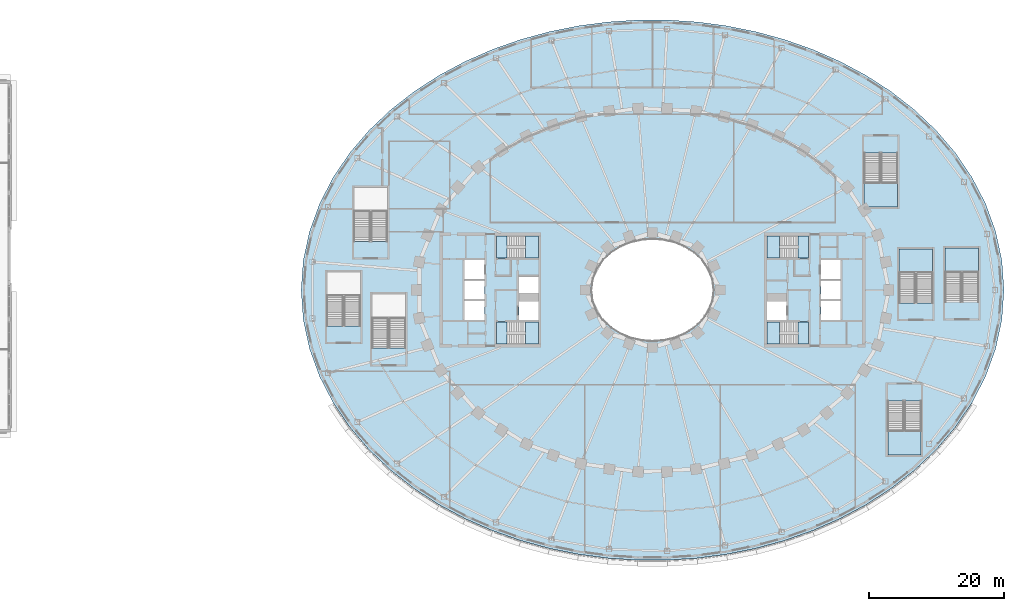
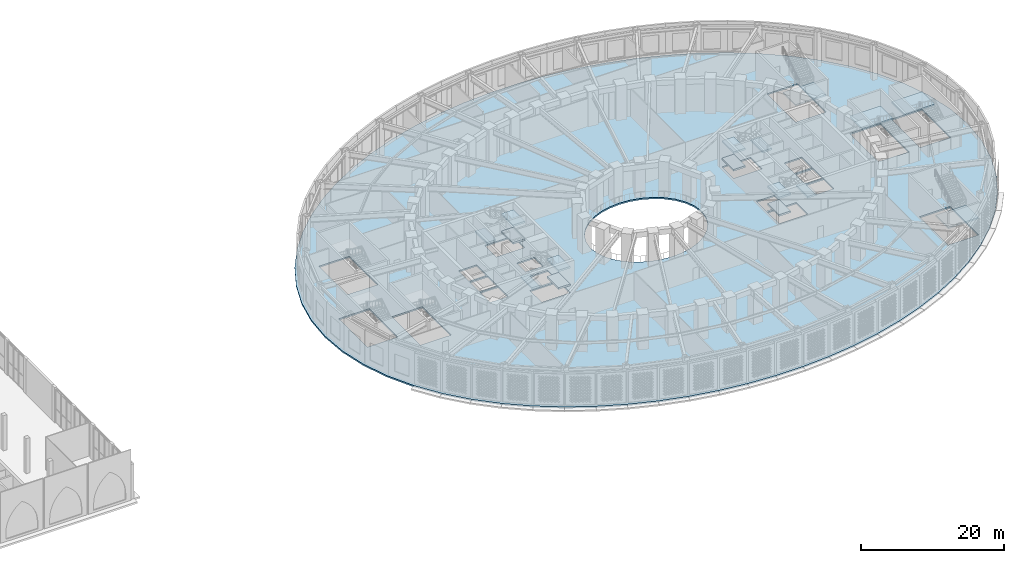
# One storey, part 16 of 74: 17 slabs, 8 elements without a shape of their own.
"""IFC4 building model written with IfcOpenShell, lengths in metres."""

from ifc_helpers import new_model, si_unit, direction, frame, origin, place, context, subcontext, project, spatial, polyline, outline, extrude, material, layer, layer_set, type_object, element, aggregate, save


model = new_model("IFC4")

# Units and contexts
model_context = context("Model", 3, precision=1e-05, world=origin(), true_north=direction((0.0, 1.0)))
body_context = subcontext(model_context, "Body", "Model", "MODEL_VIEW")
ifc_project = project(units=[si_unit("LENGTHUNIT", "METRE"), si_unit("AREAUNIT", "SQUARE_METRE"), si_unit("VOLUMEUNIT", "CUBIC_METRE"), si_unit("PLANEANGLEUNIT", "RADIAN"), si_unit("MASSUNIT", "GRAM", prefix="KILO")], contexts=[model_context])

# Site, building, storey
site_placement = place(None, origin())
site = spatial("IfcSite", under=ifc_project, at=site_placement, CompositionType="ELEMENT")
building_placement = place(site_placement, origin())
building = spatial("IfcBuilding", under=site, at=building_placement, Name="Noorbagh Ring Tower", CompositionType="ELEMENT")
storey_placement = place(building_placement, frame((0.0, 0.0, 13.5)))
storey = spatial("IfcBuildingStorey", under=building, at=storey_placement, Name="L02", CompositionType="ELEMENT", Elevation=13.5)

# Stair, slabs
ifc_material_1 = material(Name="Concrete C40/50", Category="concrete")
stair_type_1 = type_object("IfcStairType", Name="CORE-STAIR", PredefinedType="HALF_TURN_STAIR", material=ifc_material_1)
stair_1_placement = place(storey_placement, origin())
stair_1 = element("IfcStair", 1, at=stair_1_placement, inside=storey, type_object=stair_type_1, Name="L02 Exit stair ST1", PredefinedType="HALF_TURN_STAIR")
ifc_material_2 = material(Name="Concrete C40/50", Category="concrete")
ifc_layer_1 = layer(ifc_material_2, 0.300048828125)
ifc_layer_set_1 = layer_set([ifc_layer_1], Name="Concrete C40/50")
slab_type_1 = type_object("IfcSlabType", Name="CORE-STAIR-LANDING", PredefinedType="LANDING", material=ifc_layer_set_1)
slab_1_placement = place(storey_placement, frame((0.0, 0.0, 1.199951171875)))
slab_1 = element("IfcSlab", 2, at=slab_1_placement, type_object=slab_type_1, Name="ST1 landing 1", PredefinedType="LANDING", context=body_context, shape_type="SweptSolid", body=[
    extrude(outline(polyline([(-18.81005859375, 4.75), (-16.89990234375, 4.75), (-16.89990234375, 8.0), (-18.81005859375, 8.0), (-18.81005859375, 4.75)])), origin(), (0.0, 0.0, 1.0), 0.300048828125),
])
slab_2_placement = place(storey_placement, frame((0.0, 0.0, 2.699951171875)))
slab_2 = element("IfcSlab", 3, at=slab_2_placement, type_object=slab_type_1, Name="ST1 landing 2", PredefinedType="LANDING", context=body_context, shape_type="SweptSolid", body=[
    extrude(outline(polyline([(-23.080078125, 4.75), (-21.530029296875, 4.75), (-21.530029296875, 8.0), (-23.080078125, 8.0), (-23.080078125, 4.75)])), origin(), (0.0, 0.0, 1.0), 0.300048828125),
])
slab_3_placement = place(storey_placement, frame((0.0, 0.0, 4.199951171875)))
slab_3 = element("IfcSlab", 4, at=slab_3_placement, type_object=slab_type_1, Name="ST1 landing 3", PredefinedType="LANDING", context=body_context, shape_type="SweptSolid", body=[
    extrude(outline(polyline([(-18.81005859375, 4.75), (-16.89990234375, 4.75), (-16.89990234375, 8.0), (-18.81005859375, 8.0), (-18.81005859375, 4.75)])), origin(), (0.0, 0.0, 1.0), 0.300048828125),
])
aggregate(stair_1, [slab_1, slab_2, slab_3])

stair_2_placement = place(storey_placement, origin())
stair_2 = element("IfcStair", 5, at=stair_2_placement, inside=storey, type_object=stair_type_1, Name="L02 Exit stair ST2", PredefinedType="HALF_TURN_STAIR")
slab_4_placement = place(storey_placement, frame((0.0, 0.0, 1.199951171875)))
slab_4 = element("IfcSlab", 6, at=slab_4_placement, type_object=slab_type_1, Name="ST2 landing 1", PredefinedType="LANDING", context=body_context, shape_type="SweptSolid", body=[
    extrude(outline(polyline([(-18.81005859375, -8.0), (-16.89990234375, -8.0), (-16.89990234375, -4.75), (-18.81005859375, -4.75), (-18.81005859375, -8.0)])), origin(), (0.0, 0.0, 1.0), 0.300048828125),
])
slab_5_placement = place(storey_placement, frame((0.0, 0.0, 2.699951171875)))
slab_5 = element("IfcSlab", 7, at=slab_5_placement, type_object=slab_type_1, Name="ST2 landing 2", PredefinedType="LANDING", context=body_context, shape_type="SweptSolid", body=[
    extrude(outline(polyline([(-23.080078125, -8.0), (-21.530029296875, -8.0), (-21.530029296875, -4.75), (-23.080078125, -4.75), (-23.080078125, -8.0)])), origin(), (0.0, 0.0, 1.0), 0.300048828125),
])
slab_6_placement = place(storey_placement, frame((0.0, 0.0, 4.199951171875)))
slab_6 = element("IfcSlab", 8, at=slab_6_placement, type_object=slab_type_1, Name="ST2 landing 3", PredefinedType="LANDING", context=body_context, shape_type="SweptSolid", body=[
    extrude(outline(polyline([(-18.81005859375, -8.0), (-16.89990234375, -8.0), (-16.89990234375, -4.75), (-18.81005859375, -4.75), (-18.81005859375, -8.0)])), origin(), (0.0, 0.0, 1.0), 0.300048828125),
])
aggregate(stair_2, [slab_4, slab_5, slab_6])

stair_3_placement = place(storey_placement, origin())
stair_3 = element("IfcStair", 9, at=stair_3_placement, inside=storey, type_object=stair_type_1, Name="L02 Exit stair ST3", PredefinedType="HALF_TURN_STAIR")
slab_7_placement = place(storey_placement, frame((0.0, 0.0, 1.199951171875)))
slab_7 = element("IfcSlab", 10, at=slab_7_placement, type_object=slab_type_1, Name="ST3 landing 1", PredefinedType="LANDING", context=body_context, shape_type="SweptSolid", body=[
    extrude(outline(polyline([(18.81005859375, 8.0), (16.89990234375, 8.0), (16.89990234375, 4.75), (18.81005859375, 4.75), (18.81005859375, 8.0)])), origin(), (0.0, 0.0, 1.0), 0.300048828125),
])
slab_8_placement = place(storey_placement, frame((0.0, 0.0, 2.699951171875)))
slab_8 = element("IfcSlab", 11, at=slab_8_placement, type_object=slab_type_1, Name="ST3 landing 2", PredefinedType="LANDING", context=body_context, shape_type="SweptSolid", body=[
    extrude(outline(polyline([(23.080078125, 8.0), (21.530029296875, 8.0), (21.530029296875, 4.75), (23.080078125, 4.75), (23.080078125, 8.0)])), origin(), (0.0, 0.0, 1.0), 0.300048828125),
])
slab_9_placement = place(storey_placement, frame((0.0, 0.0, 4.199951171875)))
slab_9 = element("IfcSlab", 12, at=slab_9_placement, type_object=slab_type_1, Name="ST3 landing 3", PredefinedType="LANDING", context=body_context, shape_type="SweptSolid", body=[
    extrude(outline(polyline([(18.81005859375, 8.0), (16.89990234375, 8.0), (16.89990234375, 4.75), (18.81005859375, 4.75), (18.81005859375, 8.0)])), origin(), (0.0, 0.0, 1.0), 0.300048828125),
])
aggregate(stair_3, [slab_7, slab_8, slab_9])

stair_4_placement = place(storey_placement, origin())
stair_4 = element("IfcStair", 13, at=stair_4_placement, inside=storey, type_object=stair_type_1, Name="L02 Exit stair ST4", PredefinedType="HALF_TURN_STAIR")
slab_10_placement = place(storey_placement, frame((0.0, 0.0, 1.199951171875)))
slab_10 = element("IfcSlab", 14, at=slab_10_placement, type_object=slab_type_1, Name="ST4 landing 1", PredefinedType="LANDING", context=body_context, shape_type="SweptSolid", body=[
    extrude(outline(polyline([(18.81005859375, -4.75), (16.89990234375, -4.75), (16.89990234375, -8.0), (18.81005859375, -8.0), (18.81005859375, -4.75)])), origin(), (0.0, 0.0, 1.0), 0.300048828125),
])
slab_11_placement = place(storey_placement, frame((0.0, 0.0, 2.699951171875)))
slab_11 = element("IfcSlab", 15, at=slab_11_placement, type_object=slab_type_1, Name="ST4 landing 2", PredefinedType="LANDING", context=body_context, shape_type="SweptSolid", body=[
    extrude(outline(polyline([(23.080078125, -4.75), (21.530029296875, -4.75), (21.530029296875, -8.0), (23.080078125, -8.0), (23.080078125, -4.75)])), origin(), (0.0, 0.0, 1.0), 0.300048828125),
])
slab_12_placement = place(storey_placement, frame((0.0, 0.0, 4.199951171875)))
slab_12 = element("IfcSlab", 16, at=slab_12_placement, type_object=slab_type_1, Name="ST4 landing 3", PredefinedType="LANDING", context=body_context, shape_type="SweptSolid", body=[
    extrude(outline(polyline([(18.81005859375, -4.75), (16.89990234375, -4.75), (16.89990234375, -8.0), (18.81005859375, -8.0), (18.81005859375, -4.75)])), origin(), (0.0, 0.0, 1.0), 0.300048828125),
])
aggregate(stair_4, [slab_10, slab_11, slab_12])

# Stair, slab
ifc_material_3 = material(Name="Concrete C40/50", Category="concrete")
stair_type_2 = type_object("IfcStairType", Name="GND-STAIR", PredefinedType="HALF_TURN_STAIR", material=ifc_material_3)
stair_5_placement = place(storey_placement, origin())
stair_5 = element("IfcStair", 17, at=stair_5_placement, inside=storey, type_object=stair_type_2, Name="L02 exit stair ST-P2", PredefinedType="HALF_TURN_STAIR")
ifc_material_4 = material(Name="Concrete C40/50", Category="concrete")
ifc_layer_2 = layer(ifc_material_4, 0.25)
ifc_layer_set_2 = layer_set([ifc_layer_2], Name="Concrete C40/50")
slab_type_2 = type_object("IfcSlabType", Name="GND-STAIR-LANDING", PredefinedType="LANDING", material=ifc_layer_set_2)
slab_13_placement = place(storey_placement, frame((0.0, 0.0, 2.75)))
slab_13 = element("IfcSlab", 18, at=slab_13_placement, type_object=slab_type_2, Name="ST-P2 landing 1", PredefinedType="LANDING", context=body_context, shape_type="SweptSolid", body=[
    extrude(outline(polyline([(41.449951171875, 2.580078125), (41.449951171875, 6.10009765625), (36.5, 6.10009765625), (36.5, 2.580078125), (41.449951171875, 2.580078125)])), origin(), (0.0, 0.0, 1.0), 0.25),
])
aggregate(stair_5, [slab_13])

stair_6_placement = place(storey_placement, origin())
stair_6 = element("IfcStair", 19, at=stair_6_placement, inside=storey, type_object=stair_type_2, Name="L02 exit stair ST-P4", PredefinedType="HALF_TURN_STAIR")
slab_14_placement = place(storey_placement, frame((0.0, 0.0, 2.75)))
slab_14 = element("IfcSlab", 20, at=slab_14_placement, type_object=slab_type_2, Name="ST-P4 landing 1", PredefinedType="LANDING", context=body_context, shape_type="SweptSolid", body=[
    extrude(outline(polyline([(48.25, 2.679931640625), (48.25, 6.199951171875), (43.300048828125, 6.199951171875), (43.300048828125, 2.679931640625), (48.25, 2.679931640625)])), origin(), (0.0, 0.0, 1.0), 0.25),
])
aggregate(stair_6, [slab_14])

stair_7_placement = place(storey_placement, origin())
stair_7 = element("IfcStair", 21, at=stair_7_placement, inside=storey, type_object=stair_type_2, Name="L02 exit stair ST-P5", PredefinedType="HALF_TURN_STAIR")
slab_15_placement = place(storey_placement, frame((0.0, 0.0, 2.75)))
slab_15 = element("IfcSlab", 22, at=slab_15_placement, type_object=slab_type_2, Name="ST-P5 landing 1", PredefinedType="LANDING", context=body_context, shape_type="SweptSolid", body=[
    extrude(outline(polyline([(31.300048828125, 15.820068359375), (31.300048828125, 12.300048828125), (36.25, 12.300048828125), (36.25, 15.820068359375), (31.300048828125, 15.820068359375)])), origin(), (0.0, 0.0, 1.0), 0.25),
])
aggregate(stair_7, [slab_15])

stair_8_placement = place(storey_placement, origin())
stair_8 = element("IfcStair", 23, at=stair_8_placement, inside=storey, type_object=stair_type_2, Name="L02 exit stair ST-P6", PredefinedType="HALF_TURN_STAIR")
slab_16_placement = place(storey_placement, frame((0.0, 0.0, 2.75)))
slab_16 = element("IfcSlab", 24, at=slab_16_placement, type_object=slab_type_2, Name="ST-P6 landing 1", PredefinedType="LANDING", context=body_context, shape_type="SweptSolid", body=[
    extrude(outline(polyline([(34.800048828125, -20.8798828125), (34.800048828125, -24.39990234375), (39.75, -24.39990234375), (39.75, -20.8798828125), (34.800048828125, -20.8798828125)])), origin(), (0.0, 0.0, 1.0), 0.25),
])
aggregate(stair_8, [slab_16])

# Slab
ifc_material_5 = material(Name="Concrete C40/50", Category="concrete")
ifc_layer_3 = layer(ifc_material_5, 0.25)
ifc_layer_set_3 = layer_set([ifc_layer_3], Name="Concrete C40/50")
slab_type_3 = type_object("IfcSlabType", Name="STR-PODIUM-DECK-250", PredefinedType="FLOOR", material=ifc_layer_set_3)
slab_17_placement = place(storey_placement, frame((0.0, 0.0, -0.25)))
element("IfcSlab", 25, at=slab_17_placement, inside=storey, type_object=slab_type_3, Name="L02/slab/1", PredefinedType="FLOOR", context=body_context, shape_type="SweptSolid", body=[
    extrude(outline(polyline([(52.0, 0.0), (51.68701171875, 4.383056640625), (50.76123046875, 8.6787109375), (49.261474609375, 12.809326171875), (47.2431640625, 16.713623046875), (44.769775390625, 20.346923828125), (41.906494140625, 23.682373046875), (38.71435546875, 26.70458984375), (35.247802734375, 29.408447265625), (31.5546875, 31.793701171875), (27.676025390625, 33.864013671875), (23.647216796875, 35.624755859375), (19.49853515625, 37.08154296875), (15.2568359375, 38.239501953125), (10.945556640625, 39.103759765625), (6.586181640625, 39.677734375), (2.198486328125, 39.964111328125), (-2.198486328125, 39.964111328125), (-6.586181640625, 39.677734375), (-10.945556640625, 39.103759765625), (-15.2568359375, 38.239501953125), (-19.49853515625, 37.08154296875), (-23.647216796875, 35.624755859375), (-27.676025390625, 33.864013671875), (-31.5546875, 31.793701171875), (-35.247802734375, 29.408447265625), (-38.71435546875, 26.70458984375), (-41.906494140625, 23.682373046875), (-44.769775390625, 20.346923828125), (-47.2431640625, 16.713623046875), (-49.261474609375, 12.809326171875), (-50.76123046875, 8.6787109375), (-51.68701171875, 4.383056640625), (-52.0, 0.0), (-51.68701171875, -4.383056640625), (-50.76123046875, -8.6787109375), (-49.261474609375, -12.809326171875), (-47.2431640625, -16.713623046875), (-44.769775390625, -20.346923828125), (-41.906494140625, -23.682373046875), (-38.71435546875, -26.70458984375), (-35.247802734375, -29.408447265625), (-31.5546875, -31.793701171875), (-27.676025390625, -33.864013671875), (-23.647216796875, -35.624755859375), (-19.49853515625, -37.08154296875), (-15.2568359375, -38.239501953125), (-10.945556640625, -39.103759765625), (-6.586181640625, -39.677734375), (-2.198486328125, -39.964111328125), (2.198486328125, -39.964111328125), (6.586181640625, -39.677734375), (10.945556640625, -39.103759765625), (15.2568359375, -38.239501953125), (19.49853515625, -37.08154296875), (23.647216796875, -35.624755859375), (27.676025390625, -33.864013671875), (31.5546875, -31.793701171875), (35.247802734375, -29.408447265625), (38.71435546875, -26.70458984375), (41.906494140625, -23.682373046875), (44.769775390625, -20.346923828125), (47.2431640625, -16.713623046875), (49.261474609375, -12.809326171875), (50.76123046875, -8.6787109375), (51.68701171875, -4.383056640625), (52.0, 0.0)]), holes=[polyline([(43.300048828125, 6.199951171875), (48.25, 6.199951171875), (48.25, -1.799560546875), (43.300048828125, -1.799560546875), (43.300048828125, 6.199951171875)]), polyline([(36.5, 6.10009765625), (41.449951171875, 6.10009765625), (41.449951171875, -1.8994140625), (36.5, -1.8994140625), (36.5, 6.10009765625)]), polyline([(39.75, -16.400390625), (39.75, -24.39990234375), (34.800048828125, -24.39990234375), (34.800048828125, -16.400390625), (39.75, -16.400390625)]), polyline([(36.25, 12.300048828125), (31.300048828125, 12.300048828125), (31.300048828125, 20.299560546875), (36.25, 20.299560546875), (36.25, 12.300048828125)]), polyline([(27.800048828125, -1.60009765625), (27.800048828125, -4.449951171875), (24.89990234375, -4.449951171875), (24.89990234375, -1.60009765625), (27.800048828125, -1.60009765625)]), polyline([(24.89990234375, 4.449951171875), (27.800048828125, 4.449951171875), (27.800048828125, 1.60009765625), (24.89990234375, 1.60009765625), (24.89990234375, 4.449951171875)]), polyline([(24.89990234375, 1.35009765625), (27.800048828125, 1.35009765625), (27.800048828125, -1.35009765625), (24.89990234375, -1.35009765625), (24.89990234375, 1.35009765625)]), polyline([(21.529541015625, -8.0), (16.89990234375, -8.0), (16.89990234375, -4.75), (21.529541015625, -4.75), (21.529541015625, -8.0)]), polyline([(16.89990234375, 4.75), (16.89990234375, 8.0), (21.529541015625, 8.0), (21.529541015625, 4.75), (16.89990234375, 4.75)]), polyline([(19.800048828125, -1.699951171875), (19.800048828125, -4.449951171875), (16.89990234375, -4.449951171875), (16.89990234375, -1.699951171875), (19.800048828125, -1.699951171875)]), polyline([(4.697509765625, -6.3974609375), (3.196533203125, -7.010986328125), (1.6171875, -7.3779296875), (0.0, -7.5), (-1.6171875, -7.3779296875), (-3.196533203125, -7.010986328125), (-4.697509765625, -6.3974609375), (-6.071044921875, -5.53662109375), (-7.2587890625, -4.43408203125), (-8.1904296875, -3.10888671875), (-8.79150390625, -1.605224609375), (-9.0, 0.0), (-8.79150390625, 1.605224609375), (-8.1904296875, 3.10888671875), (-7.2587890625, 4.43408203125), (-6.071044921875, 5.53662109375), (-4.697509765625, 6.3974609375), (-3.196533203125, 7.010986328125), (-1.6171875, 7.3779296875), (0.0, 7.5), (1.6171875, 7.3779296875), (3.196533203125, 7.010986328125), (4.697509765625, 6.3974609375), (6.071044921875, 5.53662109375), (7.2587890625, 4.43408203125), (8.1904296875, 3.10888671875), (8.79150390625, 1.605224609375), (9.0, 0.0), (8.79150390625, -1.605224609375), (8.1904296875, -3.10888671875), (7.2587890625, -4.43408203125), (6.071044921875, -5.53662109375), (4.697509765625, -6.3974609375)]), polyline([(-16.89990234375, 8.0), (-16.89990234375, 4.75), (-21.529541015625, 4.75), (-21.529541015625, 8.0), (-16.89990234375, 8.0)]), polyline([(-16.89990234375, -0.449951171875), (-19.800048828125, -0.449951171875), (-19.800048828125, 2.0), (-16.89990234375, 2.0), (-16.89990234375, -0.449951171875)]), polyline([(-16.89990234375, -4.449951171875), (-19.800048828125, -4.449951171875), (-19.800048828125, -1.699951171875), (-16.89990234375, -1.699951171875), (-16.89990234375, -4.449951171875)]), polyline([(-21.529541015625, -4.75), (-16.89990234375, -4.75), (-16.89990234375, -8.0), (-21.529541015625, -8.0), (-21.529541015625, -4.75)]), polyline([(-24.89990234375, -1.35009765625), (-27.800048828125, -1.35009765625), (-27.800048828125, 1.35009765625), (-24.89990234375, 1.35009765625), (-24.89990234375, -1.35009765625)]), polyline([(-27.800048828125, 1.60009765625), (-27.800048828125, 4.449951171875), (-24.89990234375, 4.449951171875), (-24.89990234375, 1.60009765625), (-27.800048828125, 1.60009765625)]), polyline([(-27.800048828125, -4.449951171875), (-27.800048828125, -1.60009765625), (-24.89990234375, -1.60009765625), (-24.89990234375, -4.449951171875), (-27.800048828125, -4.449951171875)]), polyline([(-41.5, -8.599609375), (-41.5, -0.60009765625), (-36.550048828125, -0.60009765625), (-36.550048828125, -8.599609375), (-41.5, -8.599609375)]), polyline([(-44.199951171875, 7.200439453125), (-44.199951171875, 15.199951171875), (-39.25, 15.199951171875), (-39.25, 7.200439453125), (-44.199951171875, 7.200439453125)]), polyline([(-48.199951171875, 2.699951171875), (-43.25, 2.699951171875), (-43.25, -5.299560546875), (-48.199951171875, -5.299560546875), (-48.199951171875, 2.699951171875)])]), origin(), (0.0, 0.0, 1.0), 0.25),
])

save(model, "model.ifc")
